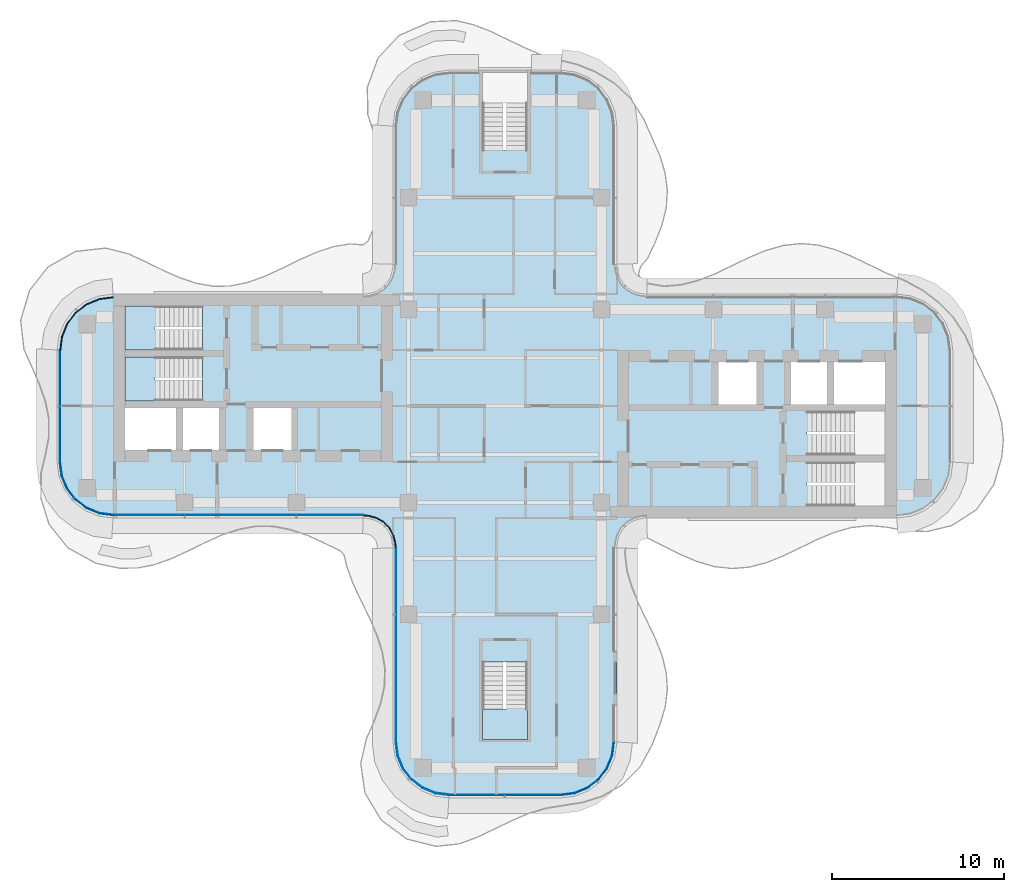
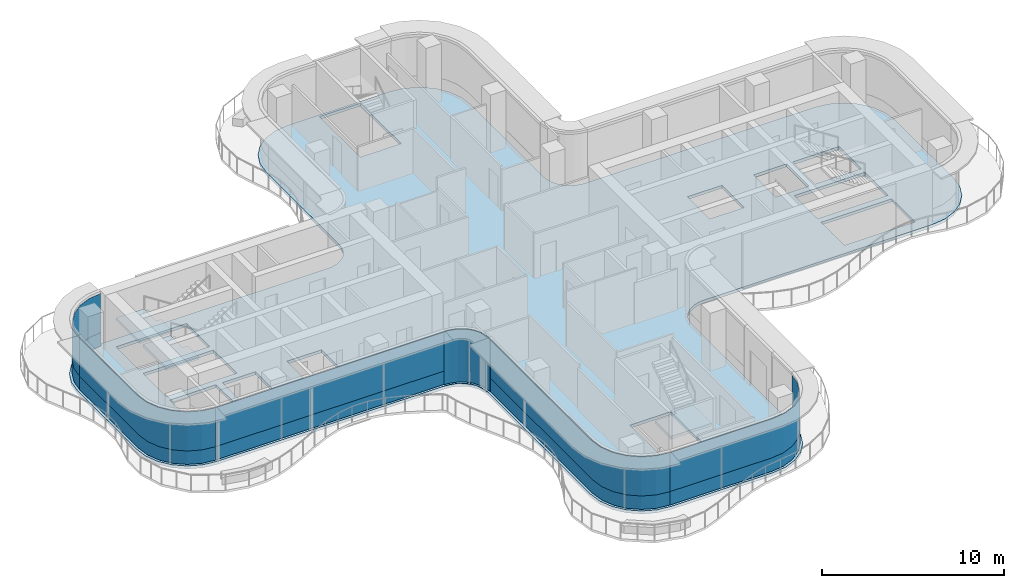
# One storey, part 8 of 16: 11 plates, 4 slabs, 9 elements without a shape of their own.
"""IFC4 building model written with IfcOpenShell, lengths in metres."""

from ifc_helpers import new_model, si_unit, direction, frame, origin, place, context, subcontext, project, spatial, polyline, outline, extrude, source, transform, mapped, material, layer, layer_set, type_object, element, aggregate, save


model = new_model("IFC4")

# Units and contexts
model_context = context("Model", 3, precision=1e-05, world=origin(), true_north=direction((0.0, 1.0)))
body_context = subcontext(model_context, "Body", "Model", "MODEL_VIEW")
ifc_project = project(units=[si_unit("LENGTHUNIT", "METRE"), si_unit("AREAUNIT", "SQUARE_METRE"), si_unit("VOLUMEUNIT", "CUBIC_METRE"), si_unit("PLANEANGLEUNIT", "RADIAN"), si_unit("MASSUNIT", "GRAM", prefix="KILO")], contexts=[model_context])

# Site, building, storey
site_placement = place(None, origin())
site = spatial("IfcSite", under=ifc_project, at=site_placement, CompositionType="ELEMENT")
building_placement = place(site_placement, origin())
building = spatial("IfcBuilding", under=site, at=building_placement, Name="Trellis Farm Tower", CompositionType="ELEMENT")
storey_placement = place(building_placement, frame((0.0, 0.0, 322.300048828125)))
storey = spatial("IfcBuildingStorey", under=building, at=storey_placement, Name="L73", CompositionType="ELEMENT", Elevation=322.300048828125)

# Slab
ifc_material_1 = material(Name="Concrete C40/50", Category="concrete")
ifc_layer_1 = layer(ifc_material_1, 0.199951171875)
ifc_layer_set_1 = layer_set([ifc_layer_1], Name="Composite deck floor slab 200")
slab_type_1 = type_object("IfcSlabType", Name="Composite deck floor slab 200", PredefinedType="FLOOR", material=ifc_layer_set_1)
shared_shape_1 = source(origin(), body_context, "Body", "SweptSolid", [
    extrude(outline(polyline([(-23.59130859375, -6.389404296875), (-24.375, -6.064697265625), (-25.048095703125, -5.548095703125), (-25.564697265625, -4.875), (-25.889404296875, -4.09130859375), (-26.0, -3.25), (-26.0, 3.25), (-25.889404296875, 4.09130859375), (-25.564697265625, 4.875), (-25.048095703125, 5.548095703125), (-24.375, 6.064697265625), (-23.59130859375, 6.389404296875), (-22.75, 6.5), (-8.2314453125, 6.5), (-8.01953125, 6.513916015625), (-7.91552734375, 6.527587890625), (-7.508544921875, 6.63671875), (-7.144287109375, 6.846923828125), (-6.846923828125, 7.144287109375), (-6.63671875, 7.508544921875), (-6.527587890625, 7.91552734375), (-6.513916015625, 8.01953125), (-6.5, 8.2314453125), (-6.5, 16.25), (-6.389404296875, 17.09130859375), (-6.064697265625, 17.875), (-5.548095703125, 18.548095703125), (-4.875, 19.064697265625), (-4.09130859375, 19.389404296875), (-3.25, 19.5), (3.25, 19.5), (4.09130859375, 19.389404296875), (4.875, 19.064697265625), (5.548095703125, 18.548095703125), (6.064697265625, 17.875), (6.389404296875, 17.09130859375), (6.5, 16.25), (6.5, 8.2314453125), (6.513916015625, 8.01953125), (6.527587890625, 7.91552734375), (6.63671875, 7.508544921875), (6.846923828125, 7.144287109375), (7.144287109375, 6.846923828125), (7.508544921875, 6.63671875), (7.91552734375, 6.527587890625), (8.01953125, 6.513916015625), (8.2314453125, 6.5), (22.75, 6.5), (23.59130859375, 6.389404296875), (24.375, 6.064697265625), (25.048095703125, 5.548095703125), (25.564697265625, 4.875), (25.889404296875, 4.09130859375), (26.0, 3.25), (26.0, -3.25), (25.889404296875, -4.09130859375), (25.564697265625, -4.875), (25.048095703125, -5.548095703125), (24.375, -6.064697265625), (23.59130859375, -6.389404296875), (22.75, -6.5), (8.2314453125, -6.5), (8.01953125, -6.513916015625), (7.91552734375, -6.527587890625), (7.508544921875, -6.63671875), (7.144287109375, -6.846923828125), (6.846923828125, -7.144287109375), (6.63671875, -7.508544921875), (6.527587890625, -7.91552734375), (6.513916015625, -8.01953125), (6.5, -8.2314453125), (6.5, -19.5), (6.389404296875, -20.34130859375), (6.064697265625, -21.125), (5.548095703125, -21.798095703125), (4.875, -22.314697265625), (4.09130859375, -22.639404296875), (3.25, -22.75), (-3.25, -22.75), (-4.09130859375, -22.639404296875), (-4.875, -22.314697265625), (-5.548095703125, -21.798095703125), (-6.064697265625, -21.125), (-6.389404296875, -20.34130859375), (-6.5, -19.5), (-6.5, -8.2314453125), (-6.513916015625, -8.01953125), (-6.527587890625, -7.91552734375), (-6.63671875, -7.508544921875), (-6.846923828125, -7.144287109375), (-7.144287109375, -6.846923828125), (-7.508544921875, -6.63671875), (-7.91552734375, -6.527587890625), (-8.01953125, -6.513916015625), (-8.2314453125, -6.5), (-22.75, -6.5), (-23.59130859375, -6.389404296875)]), holes=[polyline([(-22.050048828125, -2.550048828125), (-19.10009765625, -2.550048828125), (-19.10009765625, -0.10009765625), (-22.050048828125, -0.10009765625), (-22.050048828125, -2.550048828125)]), polyline([(-18.699951171875, -0.10009765625), (-18.699951171875, -2.550048828125), (-16.60009765625, -2.550048828125), (-16.60009765625, -0.10009765625), (-18.699951171875, -0.10009765625)]), polyline([(-14.60009765625, -0.10009765625), (-14.60009765625, -2.550048828125), (-12.39990234375, -2.550048828125), (-12.39990234375, -0.10009765625), (-14.60009765625, -0.10009765625)]), polyline([(-17.56201171875, 2.85009765625), (-22.050048828125, 2.85009765625), (-22.050048828125, 0.300048828125), (-17.56005859375, 0.300048828125), (-17.56005859375, 1.5), (-17.550048828125, 1.5), (-17.550048828125, 1.64990234375), (-17.56201171875, 1.64990234375), (-17.56201171875, 2.85009765625)]), polyline([(-17.56201171875, 4.60009765625), (-17.56201171875, 5.800048828125), (-22.050048828125, 5.800048828125), (-22.050048828125, 3.25), (-17.56005859375, 3.25), (-17.56005859375, 4.449951171875), (-17.550048828125, 4.449951171875), (-17.550048828125, 4.60009765625), (-17.56201171875, 4.60009765625)]), polyline([(0.10009765625, 14.862060546875), (1.300048828125, 14.862060546875), (1.300048828125, 19.35009765625), (-1.300048828125, 19.35009765625), (-1.300048828125, 14.860107421875), (-0.10009765625, 14.860107421875), (-0.10009765625, 14.85009765625), (0.10009765625, 14.85009765625), (0.10009765625, 14.862060546875)]), polyline([(-1.300048828125, -14.862060546875), (-1.300048828125, -19.35009765625), (1.300048828125, -19.35009765625), (1.300048828125, -14.860107421875), (0.10009765625, -14.860107421875), (0.10009765625, -14.85009765625), (-0.10009765625, -14.85009765625), (-0.10009765625, -14.862060546875), (-1.300048828125, -14.862060546875)]), polyline([(17.56201171875, -4.60009765625), (17.56201171875, -5.800048828125), (22.050048828125, -5.800048828125), (22.050048828125, -3.25), (17.56005859375, -3.25), (17.56005859375, -4.449951171875), (17.550048828125, -4.449951171875), (17.550048828125, -4.60009765625), (17.56201171875, -4.60009765625)]), polyline([(17.56201171875, -1.64990234375), (17.56201171875, -2.85009765625), (22.050048828125, -2.85009765625), (22.050048828125, -0.300048828125), (17.56005859375, -0.300048828125), (17.56005859375, -1.5), (17.550048828125, -1.5), (17.550048828125, -1.64990234375), (17.56201171875, -1.64990234375)]), polyline([(14.60009765625, 2.550048828125), (12.39990234375, 2.550048828125), (12.39990234375, 0.10009765625), (14.60009765625, 0.10009765625), (14.60009765625, 2.550048828125)]), polyline([(18.699951171875, 0.10009765625), (18.699951171875, 2.550048828125), (16.60009765625, 2.550048828125), (16.60009765625, 0.10009765625), (18.699951171875, 0.10009765625)]), polyline([(22.050048828125, 0.10009765625), (22.050048828125, 2.550048828125), (19.10009765625, 2.550048828125), (19.10009765625, 0.10009765625), (22.050048828125, 0.10009765625)])]), origin(), (0.0, 0.0, 1.0), 0.199951171875),
])
slab_1_placement = place(storey_placement, frame((0.0, 0.0, -0.199951171875)))
element("IfcSlab", 1, at=slab_1_placement, inside=storey, type_object=slab_type_1, Name="Floor slab", PredefinedType="FLOOR", context=body_context, shape_type="MappedRepresentation", body=[
    mapped(shared_shape_1, transform((0.0, 0.0, 0.0))),
])

# Stair, slab
ifc_material_2 = material(Name="Concrete C50/60", Category="concrete")
stair_type = type_object("IfcStairType", Name="CORE EXIT STAIR 22 RISERS 177 MM", PredefinedType="HALF_TURN_STAIR", material=ifc_material_2)
placement_1 = place(storey_placement, origin())
stair_1 = element("IfcStair", 2, at=placement_1, inside=storey, type_object=stair_type, Name="Exit stair S", PredefinedType="HALF_TURN_STAIR")
ifc_layer_2 = layer(ifc_material_2, 0.18994140625)
ifc_layer_set_2 = layer_set([ifc_layer_2], Name="CORE STAIR LANDING 190 CONCRETE C50/60")
slab_type_2 = type_object("IfcSlabType", Name="CORE STAIR LANDING 190 CONCRETE C50/60", PredefinedType="LANDING", material=ifc_layer_set_2)
shared_shape_2 = source(origin(), body_context, "Body", "SweptSolid", [
    extrude(outline(polyline([(1.300048828125, -19.35009765625), (-1.300048828125, -19.35009765625), (-1.300048828125, -17.60009765625), (-1.300048828125, -17.590087890625), (-0.10009765625, -17.590087890625), (-0.10009765625, -17.60009765625), (0.10009765625, -17.60009765625), (0.10009765625, -17.27197265625), (1.300048828125, -17.27197265625), (1.300048828125, -17.60009765625), (1.300048828125, -19.35009765625)])), origin(), (0.0, 0.0, 1.0), 0.18994140625),
])
placement_2 = place(storey_placement, frame((0.0, 0.0, 1.760009765625)))
slab_2 = element("IfcSlab", 3, at=placement_2, type_object=slab_type_2, Name="STS landing 1", PredefinedType="LANDING", context=body_context, shape_type="MappedRepresentation", body=[
    mapped(shared_shape_2, transform((0.0, 0.0, 0.0))),
])
aggregate(stair_1, [slab_2])

stair_2 = element("IfcStair", 4, at=placement_1, inside=storey, type_object=stair_type, Name="Exit stair W1", PredefinedType="HALF_TURN_STAIR")
shared_shape_3 = source(origin(), body_context, "Body", "SweptSolid", [
    extrude(outline(polyline([(-19.971923828125, 4.449951171875), (-19.971923828125, 3.25), (-20.300048828125, 3.25), (-22.050048828125, 3.25), (-22.050048828125, 5.800048828125), (-20.300048828125, 5.800048828125), (-20.2900390625, 5.800048828125), (-20.2900390625, 4.60009765625), (-20.300048828125, 4.60009765625), (-20.300048828125, 4.449951171875), (-19.971923828125, 4.449951171875)])), origin(), (0.0, 0.0, 1.0), 0.18994140625),
])
slab_3 = element("IfcSlab", 5, at=placement_2, type_object=slab_type_2, Name="STW1 landing 1", PredefinedType="LANDING", context=body_context, shape_type="MappedRepresentation", body=[
    mapped(shared_shape_3, transform((0.0, 0.0, 0.0))),
])
aggregate(stair_2, [slab_3])

stair_3 = element("IfcStair", 6, at=placement_1, inside=storey, type_object=stair_type, Name="Exit stair W2", PredefinedType="HALF_TURN_STAIR")
shared_shape_4 = source(origin(), body_context, "Body", "SweptSolid", [
    extrude(outline(polyline([(-19.971923828125, 1.5), (-19.971923828125, 0.300048828125), (-20.300048828125, 0.300048828125), (-22.050048828125, 0.300048828125), (-22.050048828125, 2.85009765625), (-20.300048828125, 2.85009765625), (-20.2900390625, 2.85009765625), (-20.2900390625, 1.64990234375), (-20.300048828125, 1.64990234375), (-20.300048828125, 1.5), (-19.971923828125, 1.5)])), origin(), (0.0, 0.0, 1.0), 0.18994140625),
])
slab_4 = element("IfcSlab", 7, at=placement_2, type_object=slab_type_2, Name="STW2 landing 1", PredefinedType="LANDING", context=body_context, shape_type="MappedRepresentation", body=[
    mapped(shared_shape_4, transform((0.0, 0.0, 0.0))),
])
aggregate(stair_3, [slab_4])

# Curtain wall, plate
ifc_material_3 = material(Name="Aluminium and glass curtain wall", Category="aluminium")
ifc_layer_3 = layer(ifc_material_3, 0.166015625)
ifc_layer_set_3 = layer_set([ifc_layer_3], Name="WINTER GARDEN CURTAIN WALL CW3")
curtain_wall_type_1 = type_object("IfcCurtainWallType", Name="WINTER GARDEN CURTAIN WALL CW3", PredefinedType="NOTDEFINED", material=ifc_layer_set_3)
curtain_wall_1 = element("IfcCurtainWall", 8, at=placement_1, inside=storey, type_object=curtain_wall_type_1, Name="CW3 001", PredefinedType="NOTDEFINED")
ifc_material_4 = material(Name="Clear insulated glass", Category="glass")
ifc_layer_4 = layer(ifc_material_4, 0.0458984375)
ifc_layer_set_4 = layer_set([ifc_layer_4], Name="CW3 GLASS PANEL 46")
plate_type_1 = type_object("IfcPlateType", Name="CW3 GLASS PANEL 46", PredefinedType="CURTAIN_PANEL", material=ifc_layer_set_4)
shared_shape_5 = source(origin(), body_context, "Body", "SweptSolid", [
    extrude(outline(polyline([(-8.2275390625, -6.3798828125), (-8.0078125, -6.394287109375), (-7.89208984375, -6.40966796875), (-7.462158203125, -6.52490234375), (-7.070556640625, -6.7509765625), (-6.7509765625, -7.070556640625), (-6.52490234375, -7.462158203125), (-6.40966796875, -7.89208984375), (-6.394287109375, -8.0078125), (-6.3798828125, -8.2275390625), (-6.333984375, -8.22607421875), (-6.3486328125, -8.003173828125), (-6.364501953125, -7.883056640625), (-6.48193359375, -7.4443359375), (-6.714111328125, -7.04248046875), (-7.04248046875, -6.714111328125), (-7.4443359375, -6.48193359375), (-7.883056640625, -6.364501953125), (-8.003173828125, -6.3486328125), (-8.22607421875, -6.333984375), (-8.2275390625, -6.3798828125)])), origin(), (0.0, 0.0, 1.0), 3.550048828125),
])
plate_1 = element("IfcPlate", 9, at=placement_1, type_object=plate_type_1, Name="PL3 001", PredefinedType="CURTAIN_PANEL", context=body_context, shape_type="MappedRepresentation", body=[
    mapped(shared_shape_5, transform((0.0, 0.0, 0.0))),
])
aggregate(curtain_wall_1, [plate_1])

# Curtain wall, plates
ifc_layer_5 = layer(ifc_material_3, 0.18994140625)
ifc_layer_set_5 = layer_set([ifc_layer_5], Name="RIBBON CURTAIN WALL CW1")
curtain_wall_type_2 = type_object("IfcCurtainWallType", Name="RIBBON CURTAIN WALL CW1", PredefinedType="NOTDEFINED", material=ifc_layer_set_5)
curtain_wall_2 = element("IfcCurtainWall", 10, at=placement_1, inside=storey, type_object=curtain_wall_type_2, Name="CW1 002", PredefinedType="NOTDEFINED")
ifc_layer_6 = layer(ifc_material_4, 0.0400390625)
ifc_layer_set_6 = layer_set([ifc_layer_6], Name="CW1 GLASS PANEL 40")
plate_type_2 = type_object("IfcPlateType", Name="CW1 GLASS PANEL 40", PredefinedType="CURTAIN_PANEL", material=ifc_layer_set_6)
shared_shape_6 = source(origin(), body_context, "Body", "SweptSolid", [
    extrude(outline(polyline([(-6.35009765625, -8.2265625), (-6.35009765625, -19.490234375), (-6.2431640625, -20.302001953125), (-5.93359375, -21.04931640625), (-5.441162109375, -21.691162109375), (-4.79931640625, -22.18359375), (-4.052001953125, -22.4931640625), (-3.240234375, -22.60009765625), (-3.237548828125, -22.56005859375), (-4.04150390625, -22.4541015625), (-4.779296875, -22.148681640625), (-5.41259765625, -21.66259765625), (-5.898681640625, -21.029296875), (-6.2041015625, -20.29150390625), (-6.31005859375, -19.487548828125), (-6.31005859375, -8.22509765625), (-6.35009765625, -8.2265625)])), origin(), (0.0, 0.0, 1.0), 2.6201171875),
])
placement_3 = place(storey_placement, frame((0.0, 0.0, 0.89990234375)))
plate_2 = element("IfcPlate", 11, at=placement_3, type_object=plate_type_2, Name="PL1 002", PredefinedType="CURTAIN_PANEL", context=body_context, shape_type="MappedRepresentation", body=[
    mapped(shared_shape_6, transform((0.0, 0.0, 0.0))),
])
ifc_material_5 = material(Name="Sandstone faced insulated panel", Category="masonry")
ifc_layer_7 = layer(ifc_material_5, 0.050048828125)
ifc_layer_set_7 = layer_set([ifc_layer_7], Name="CW1 STONE SPANDREL PANEL 50")
plate_type_3 = type_object("IfcPlateType", Name="CW1 STONE SPANDREL PANEL 50", PredefinedType="CURTAIN_PANEL", material=ifc_layer_set_7)
shared_shape_7 = source(origin(), body_context, "Body", "SweptSolid", [
    extrude(outline(polyline([(-6.35009765625, -8.2265625), (-6.35009765625, -19.490234375), (-6.2431640625, -20.302001953125), (-5.93359375, -21.04931640625), (-5.441162109375, -21.691162109375), (-4.79931640625, -22.18359375), (-4.052001953125, -22.4931640625), (-3.240234375, -22.60009765625), (-3.23681640625, -22.550048828125), (-4.0390625, -22.4443359375), (-4.774169921875, -22.139892578125), (-5.405517578125, -21.655517578125), (-5.889892578125, -21.024169921875), (-6.1943359375, -20.2890625), (-6.300048828125, -19.48681640625), (-6.300048828125, -8.224853515625), (-6.35009765625, -8.2265625)])), origin(), (0.0, 0.0, 1.0), 0.89990234375),
])
plate_3 = element("IfcPlate", 12, at=placement_1, type_object=plate_type_3, Name="PS1 002", PredefinedType="CURTAIN_PANEL", context=body_context, shape_type="MappedRepresentation", body=[
    mapped(shared_shape_7, transform((0.0, 0.0, 0.0))),
])
aggregate(curtain_wall_2, [plate_2, plate_3])

curtain_wall_3 = element("IfcCurtainWall", 13, at=placement_1, inside=storey, type_object=curtain_wall_type_2, Name="CW1 003", PredefinedType="NOTDEFINED")
shared_shape_8 = source(origin(), body_context, "Body", "SweptSolid", [
    extrude(outline(polyline([(-3.240234375, -22.60009765625), (3.240234375, -22.60009765625), (4.052001953125, -22.4931640625), (4.79931640625, -22.18359375), (5.441162109375, -21.691162109375), (5.93359375, -21.04931640625), (6.2431640625, -20.302001953125), (6.35009765625, -19.490234375), (6.31005859375, -19.487548828125), (6.2041015625, -20.29150390625), (5.898681640625, -21.029296875), (5.41259765625, -21.66259765625), (4.779296875, -22.148681640625), (4.04150390625, -22.4541015625), (3.237548828125, -22.56005859375), (-3.237548828125, -22.56005859375), (-3.240234375, -22.60009765625)])), origin(), (0.0, 0.0, 1.0), 2.6201171875),
])
plate_4 = element("IfcPlate", 14, at=placement_3, type_object=plate_type_2, Name="PL1 003", PredefinedType="CURTAIN_PANEL", context=body_context, shape_type="MappedRepresentation", body=[
    mapped(shared_shape_8, transform((0.0, 0.0, 0.0))),
])
shared_shape_9 = source(origin(), body_context, "Body", "SweptSolid", [
    extrude(outline(polyline([(-3.240234375, -22.60009765625), (3.240234375, -22.60009765625), (4.052001953125, -22.4931640625), (4.79931640625, -22.18359375), (5.441162109375, -21.691162109375), (5.93359375, -21.04931640625), (6.2431640625, -20.302001953125), (6.35009765625, -19.490234375), (6.300048828125, -19.48681640625), (6.1943359375, -20.2890625), (5.889892578125, -21.024169921875), (5.405517578125, -21.655517578125), (4.774169921875, -22.139892578125), (4.0390625, -22.4443359375), (3.23681640625, -22.550048828125), (-3.23681640625, -22.550048828125), (-3.240234375, -22.60009765625)])), origin(), (0.0, 0.0, 1.0), 0.89990234375),
])
plate_5 = element("IfcPlate", 15, at=placement_1, type_object=plate_type_3, Name="PS1 003", PredefinedType="CURTAIN_PANEL", context=body_context, shape_type="MappedRepresentation", body=[
    mapped(shared_shape_9, transform((0.0, 0.0, 0.0))),
])
aggregate(curtain_wall_3, [plate_4, plate_5])

curtain_wall_4 = element("IfcCurtainWall", 16, at=placement_1, inside=storey, type_object=curtain_wall_type_2, Name="CW1 001", PredefinedType="NOTDEFINED")
shared_shape_10 = source(origin(), body_context, "Body", "SweptSolid", [
    extrude(outline(polyline([(-22.740234375, -6.35009765625), (-8.2265625, -6.35009765625), (-8.22509765625, -6.31005859375), (-22.737548828125, -6.31005859375), (-22.740234375, -6.35009765625)])), origin(), (0.0, 0.0, 1.0), 2.6201171875),
])
plate_6 = element("IfcPlate", 17, at=placement_3, type_object=plate_type_2, Name="PL1 001", PredefinedType="CURTAIN_PANEL", context=body_context, shape_type="MappedRepresentation", body=[
    mapped(shared_shape_10, transform((0.0, 0.0, 0.0))),
])
shared_shape_11 = source(origin(), body_context, "Body", "SweptSolid", [
    extrude(outline(polyline([(-22.740234375, -6.35009765625), (-8.2265625, -6.35009765625), (-8.224853515625, -6.300048828125), (-22.73681640625, -6.300048828125), (-22.740234375, -6.35009765625)])), origin(), (0.0, 0.0, 1.0), 0.89990234375),
])
plate_7 = element("IfcPlate", 18, at=placement_1, type_object=plate_type_3, Name="PS1 001", PredefinedType="CURTAIN_PANEL", context=body_context, shape_type="MappedRepresentation", body=[
    mapped(shared_shape_11, transform((0.0, 0.0, 0.0))),
])
aggregate(curtain_wall_4, [plate_6, plate_7])

curtain_wall_5 = element("IfcCurtainWall", 19, at=placement_1, inside=storey, type_object=curtain_wall_type_2, Name="CW1 013", PredefinedType="NOTDEFINED")
shared_shape_12 = source(origin(), body_context, "Body", "SweptSolid", [
    extrude(outline(polyline([(-22.740234375, 6.35009765625), (-23.552001953125, 6.2431640625), (-24.29931640625, 5.93359375), (-24.941162109375, 5.441162109375), (-25.43359375, 4.79931640625), (-25.7431640625, 4.052001953125), (-25.85009765625, 3.240234375), (-25.81005859375, 3.237548828125), (-25.7041015625, 4.04150390625), (-25.398681640625, 4.779296875), (-24.91259765625, 5.41259765625), (-24.279296875, 5.898681640625), (-23.54150390625, 6.2041015625), (-22.737548828125, 6.31005859375), (-22.740234375, 6.35009765625)])), origin(), (0.0, 0.0, 1.0), 2.6201171875),
])
plate_8 = element("IfcPlate", 20, at=placement_3, type_object=plate_type_2, Name="PL1 013", PredefinedType="CURTAIN_PANEL", context=body_context, shape_type="MappedRepresentation", body=[
    mapped(shared_shape_12, transform((0.0, 0.0, 0.0))),
])
shared_shape_13 = source(origin(), body_context, "Body", "SweptSolid", [
    extrude(outline(polyline([(-22.740234375, 6.35009765625), (-23.552001953125, 6.2431640625), (-24.29931640625, 5.93359375), (-24.941162109375, 5.441162109375), (-25.43359375, 4.79931640625), (-25.7431640625, 4.052001953125), (-25.85009765625, 3.240234375), (-25.800048828125, 3.23681640625), (-25.6943359375, 4.0390625), (-25.389892578125, 4.774169921875), (-24.905517578125, 5.405517578125), (-24.274169921875, 5.889892578125), (-23.5390625, 6.1943359375), (-22.73681640625, 6.300048828125), (-22.740234375, 6.35009765625)])), origin(), (0.0, 0.0, 1.0), 0.89990234375),
])
plate_9 = element("IfcPlate", 21, at=placement_1, type_object=plate_type_3, Name="PS1 013", PredefinedType="CURTAIN_PANEL", context=body_context, shape_type="MappedRepresentation", body=[
    mapped(shared_shape_13, transform((0.0, 0.0, 0.0))),
])
aggregate(curtain_wall_5, [plate_8, plate_9])

curtain_wall_6 = element("IfcCurtainWall", 22, at=placement_1, inside=storey, type_object=curtain_wall_type_2, Name="CW1 014", PredefinedType="NOTDEFINED")
shared_shape_14 = source(origin(), body_context, "Body", "SweptSolid", [
    extrude(outline(polyline([(-25.85009765625, 3.240234375), (-25.85009765625, -3.240234375), (-25.7431640625, -4.052001953125), (-25.43359375, -4.79931640625), (-24.941162109375, -5.441162109375), (-24.29931640625, -5.93359375), (-23.552001953125, -6.2431640625), (-22.740234375, -6.35009765625), (-22.737548828125, -6.31005859375), (-23.54150390625, -6.2041015625), (-24.279296875, -5.898681640625), (-24.91259765625, -5.41259765625), (-25.398681640625, -4.779296875), (-25.7041015625, -4.04150390625), (-25.81005859375, -3.237548828125), (-25.81005859375, 3.237548828125), (-25.85009765625, 3.240234375)])), origin(), (0.0, 0.0, 1.0), 2.6201171875),
])
plate_10 = element("IfcPlate", 23, at=placement_3, type_object=plate_type_2, Name="PL1 014", PredefinedType="CURTAIN_PANEL", context=body_context, shape_type="MappedRepresentation", body=[
    mapped(shared_shape_14, transform((0.0, 0.0, 0.0))),
])
shared_shape_15 = source(origin(), body_context, "Body", "SweptSolid", [
    extrude(outline(polyline([(-25.85009765625, 3.240234375), (-25.85009765625, -3.240234375), (-25.7431640625, -4.052001953125), (-25.43359375, -4.79931640625), (-24.941162109375, -5.441162109375), (-24.29931640625, -5.93359375), (-23.552001953125, -6.2431640625), (-22.740234375, -6.35009765625), (-22.73681640625, -6.300048828125), (-23.5390625, -6.1943359375), (-24.274169921875, -5.889892578125), (-24.905517578125, -5.405517578125), (-25.389892578125, -4.774169921875), (-25.6943359375, -4.0390625), (-25.800048828125, -3.23681640625), (-25.800048828125, 3.23681640625), (-25.85009765625, 3.240234375)])), origin(), (0.0, 0.0, 1.0), 0.89990234375),
])
plate_11 = element("IfcPlate", 24, at=placement_1, type_object=plate_type_3, Name="PS1 014", PredefinedType="CURTAIN_PANEL", context=body_context, shape_type="MappedRepresentation", body=[
    mapped(shared_shape_15, transform((0.0, 0.0, 0.0))),
])
aggregate(curtain_wall_6, [plate_10, plate_11])

save(model, "model.ifc")
